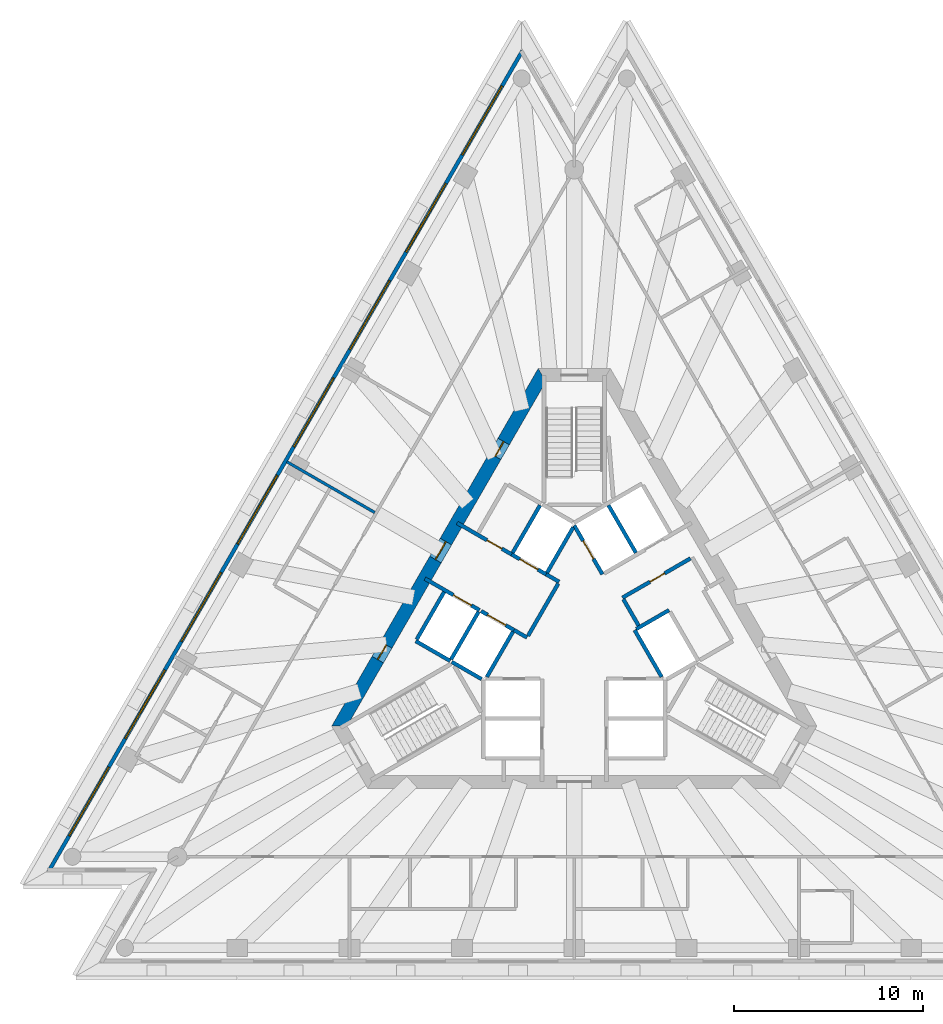
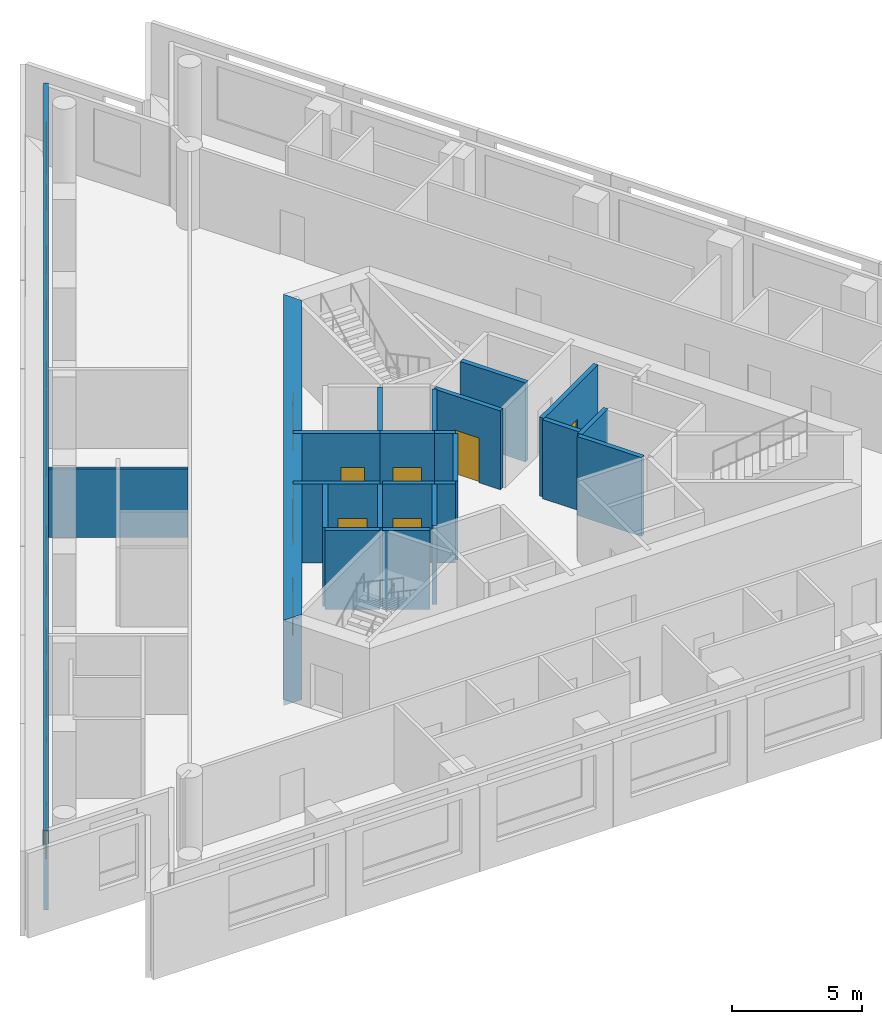
# One storey, part 4 of 9: 23 walls, 9 doors, 8 windows, 17 openings.
"""IFC4 building model written with IfcOpenShell, lengths in metres."""

from ifc_helpers import new_model, si_unit, direction, frame, frame_2d, origin, place, context, subcontext, project, spatial, polyline, rectangle, outline, extrude, material, layer, layer_set, layer_usage, type_object, element, fill, save


model = new_model("IFC4")

# Units and contexts
model_context = context("Model", 3, precision=1e-05, world=origin(), true_north=direction((0.0, 1.0)))
body_context = subcontext(model_context, "Body", "Model", "MODEL_VIEW")
ifc_project = project(units=[si_unit("LENGTHUNIT", "METRE"), si_unit("AREAUNIT", "SQUARE_METRE"), si_unit("VOLUMEUNIT", "CUBIC_METRE"), si_unit("PLANEANGLEUNIT", "RADIAN"), si_unit("MASSUNIT", "GRAM", prefix="KILO")], contexts=[model_context])

# Site, building, storey
site_placement = place(None, origin())
site = spatial("IfcSite", under=ifc_project, at=site_placement, CompositionType="ELEMENT")
building_placement = place(site_placement, origin())
building = spatial("IfcBuilding", under=site, at=building_placement, Name="Triada Interchange Tower", CompositionType="ELEMENT")
storey_placement = place(building_placement, frame((0.0, 0.0, 231.300048828125)))
storey = spatial("IfcBuildingStorey", under=building, at=storey_placement, Name="L54", CompositionType="ELEMENT", Elevation=231.300048828125)

# Walls
ifc_material_1 = material(Name="Concrete C30/37", Category="concrete")
ifc_layer_1 = layer(ifc_material_1, 0.199951171875)
ifc_layer_set_1 = layer_set([ifc_layer_1], Name="CORE WALL 200 EI 120")
wall_type_1 = type_object("IfcWallType", Name="CORE WALL 200 EI 120", PredefinedType="SOLIDWALL", material=ifc_layer_set_1)
wall_1_placement = place(storey_placement, frame((-8.3759765625, -0.70703125, 0.0), z_axis=(0.0, 0.0, 1.0), x_axis=(0.866067520717, -0.499927044236, 0.0)))
element("IfcWall", 1, at=wall_1_placement, inside=storey, type_object=wall_type_1, Name="Wall L53 42", PredefinedType="SOLIDWALL", context=body_context, shape_type="SweptSolid", body=[
    extrude(rectangle(XDim=2.100341796875, YDim=0.199951171875, at=frame_2d((1.05029296875, 0.0))), origin(), (0.0, 0.0, 1.0), 3.699951171875),
])
wall_2_placement = place(storey_placement, frame((-8.325927734375, -0.6201171875, 0.0), z_axis=(0.0, 0.0, 1.0), x_axis=(0.500023687443, 0.866011727401, 0.0)))
element("IfcWall", 2, at=wall_2_placement, inside=storey, type_object=wall_type_1, Name="Wall L53 43", PredefinedType="SOLIDWALL", context=body_context, shape_type="SweptSolid", body=[
    extrude(rectangle(XDim=2.899658203125, YDim=0.199951171875, at=frame_2d((1.44970703125, 0.0))), origin(), (0.0, 0.0, 1.0), 3.699951171875),
])

# Wall, opening, door
wall_3_placement = place(storey_placement, frame((0.0, 5.39990234375, 0.0), z_axis=(0.0, 0.0, 1.0), x_axis=(0.500103862429, -0.865965430478, 0.0)))
wall_3 = element("IfcWall", 3, at=wall_3_placement, inside=storey, type_object=wall_type_1, Name="Wall L53 53", PredefinedType="SOLIDWALL", context=body_context, shape_type="SweptSolid", body=[
    extrude(rectangle(XDim=2.973388671875, YDim=0.199951171875, at=frame_2d((1.48681640625, 0.0))), origin(), (0.0, 0.0, 1.0), 3.699951171875),
])
opening_1_placement = place(wall_3_placement, frame((0.93701171875, 0.0, 0.0)))
opening_1 = element("IfcOpeningElement", 4, at=opening_1_placement, cuts=wall_3, Name="Opening LD-HR5", PredefinedType="OPENING", context=body_context, shape_type="SweptSolid", body=[
    extrude(rectangle(XDim=1.10009765625, YDim=2.10009765625, at=frame_2d((0.550048828125, 1.050048828125))), frame((0.0, 0.10986328125, 0.0), z_axis=(0.0, -1.0, 0.0), x_axis=(1.0, 0.0, 0.0)), (0.0, 0.0, 1.0), 0.219970703125),
])
ifc_material_2 = material(Name="Steel S235 door leaf", Category="steel")
door_type_1 = type_object("IfcDoorType", Name="LIFT LANDING DOOR 1100 EI 120", OperationType="SLIDING_TO_LEFT", PredefinedType="DOOR", material=ifc_material_2)
door_1_placement = place(opening_1_placement, origin())
door_1 = element("IfcDoor", 5, at=door_1_placement, inside=storey, type_object=door_type_1, Name="HR5 landing door L54", OperationType="SLIDING_TO_LEFT", OverallHeight=2.10009765625, OverallWidth=1.10009765625, PredefinedType="DOOR", context=body_context, shape_type="SweptSolid", body=[
    extrude(rectangle(XDim=1.10009765625, YDim=2.10009765625, at=frame_2d((0.550048828125, 1.050048828125))), frame((0.0, 0.02490234375, 0.0), z_axis=(0.0, -1.0, 0.0), x_axis=(1.0, 0.0, 0.0)), (0.0, 0.0, 1.0), 0.050048828125),
])
fill(opening_1, door_1)

# Walls
wall_4_placement = place(storey_placement, frame((3.18994140625, -0.125, 0.0), z_axis=(0.0, 0.0, 1.0), x_axis=(0.499988658015, -0.866031951983, 0.0)))
element("IfcWall", 6, at=wall_4_placement, inside=storey, type_object=wall_type_1, Name="Wall L53 54", PredefinedType="SOLIDWALL", context=body_context, shape_type="SweptSolid", body=[
    extrude(rectangle(XDim=2.85791015625, YDim=0.199951171875, at=frame_2d((1.428955078125, 0.0))), origin(), (0.0, 0.0, 1.0), 3.699951171875),
])
wall_5_placement = place(storey_placement, frame((3.278076171875, -0.071044921875, 0.0), z_axis=(0.0, 0.0, 1.0), x_axis=(0.865855657918, 0.500293893279, 0.0)))
element("IfcWall", 7, at=wall_5_placement, inside=storey, type_object=wall_type_1, Name="Wall L53 58", PredefinedType="SOLIDWALL", context=body_context, shape_type="SweptSolid", body=[
    extrude(rectangle(XDim=1.996826171875, YDim=0.199951171875, at=frame_2d((0.99853515625, 0.0))), origin(), (0.0, 0.0, 1.0), 3.699951171875),
])
wall_6_placement = place(storey_placement, frame((1.806884765625, 6.469970703125, 0.0), z_axis=(0.0, 0.0, 1.0), x_axis=(0.50012328804, -0.865954211699, 0.0)))
element("IfcWall", 8, at=wall_6_placement, inside=storey, type_object=wall_type_1, Name="Wall L53 61", PredefinedType="SOLIDWALL", context=body_context, shape_type="SweptSolid", body=[
    extrude(rectangle(XDim=2.899658203125, YDim=0.199951171875, at=frame_2d((1.44970703125, 0.0))), origin(), (0.0, 0.0, 1.0), 3.699951171875),
])

# Wall, opening, door
wall_7_placement = place(storey_placement, frame((2.548095703125, 1.5869140625, 0.0), z_axis=(0.0, 0.0, 1.0), x_axis=(0.866004344652, 0.500036473714, 0.0)))
wall_7 = element("IfcWall", 9, at=wall_7_placement, inside=storey, type_object=wall_type_1, Name="Wall L53 65", PredefinedType="SOLIDWALL", context=body_context, shape_type="SweptSolid", body=[
    extrude(rectangle(XDim=4.150146484375, YDim=0.199951171875, at=frame_2d((2.0751953125, 0.0))), origin(), (0.0, 0.0, 1.0), 3.699951171875),
])
opening_2_placement = place(wall_7_placement, frame((1.675048828125, 0.0, 0.0)))
opening_2 = element("IfcOpeningElement", 10, at=opening_2_placement, cuts=wall_7, Name="Opening D53-48", PredefinedType="OPENING", context=body_context, shape_type="SweptSolid", body=[
    extrude(rectangle(XDim=0.89990234375, YDim=2.10009765625, at=frame_2d((0.449951171875, 1.050048828125))), frame((0.0, 0.10986328125, 0.0), z_axis=(0.0, -1.0, 0.0), x_axis=(1.0, 0.0, 0.0)), (0.0, 0.0, 1.0), 0.219970703125),
])
door_type_2 = type_object("IfcDoorType", Name="SERVICE DOOR 900 EI2 45-C5S200", OperationType="NOTDEFINED", PredefinedType="DOOR", material=ifc_material_2)
door_2_placement = place(opening_2_placement, origin())
door_2 = element("IfcDoor", 11, at=door_2_placement, inside=storey, type_object=door_type_2, Name="Door D53-48 L54", OperationType="SINGLE_SWING_RIGHT", OverallHeight=2.10009765625, OverallWidth=0.89990234375, PredefinedType="DOOR", context=body_context, shape_type="SweptSolid", body=[
    extrude(rectangle(XDim=0.89990234375, YDim=2.10009765625, at=frame_2d((0.449951171875, 1.050048828125))), frame((0.0, 0.02490234375, 0.0), z_axis=(0.0, -1.0, 0.0), x_axis=(1.0, 0.0, 0.0)), (0.0, 0.0, 1.0), 0.050048828125),
])
fill(opening_2, door_2)

# Wall
wall_8_placement = place(storey_placement, frame((2.597900390625, 1.5, 0.0), z_axis=(0.0, 0.0, 1.0), x_axis=(0.499929347863, -0.866066190972, 0.0)))
element("IfcWall", 12, at=wall_8_placement, inside=storey, type_object=wall_type_1, Name="Wall L53 66", PredefinedType="SOLIDWALL", context=body_context, shape_type="SweptSolid", body=[
    extrude(rectangle(XDim=1.600341796875, YDim=0.199951171875, at=frame_2d((0.80029296875, 0.0))), origin(), (0.0, 0.0, 1.0), 3.699951171875),
])

# Wall, opening, door
ifc_layer_2 = layer(ifc_material_1, 0.199951171875)
ifc_layer_set_2 = layer_set([ifc_layer_2], Name="CORE WALL 200 EI 180")
wall_type_2 = type_object("IfcWallType", Name="CORE WALL 200 EI 180", PredefinedType="SOLIDWALL", material=ifc_layer_set_2)
wall_9_placement = place(storey_placement, frame((-7.89111328125, 2.593017578125, 0.0), z_axis=(0.0, 0.0, 1.0), x_axis=(0.866070917804, -0.499921159118, 0.0)))
wall_9 = element("IfcWall", 13, at=wall_9_placement, inside=storey, type_object=wall_type_2, Name="Wall L53 67", PredefinedType="SOLIDWALL", context=body_context, shape_type="SweptSolid", body=[
    extrude(rectangle(XDim=3.33251953125, YDim=0.199951171875, at=frame_2d((1.666259765625, 0.0))), origin(), (0.0, 0.0, 1.0), 3.699951171875),
])
opening_3_placement = place(wall_9_placement, frame((1.72998046875, 0.0, 0.0)))
opening_3 = element("IfcOpeningElement", 14, at=opening_3_placement, cuts=wall_9, Name="Opening LD-SV1", PredefinedType="OPENING", context=body_context, shape_type="SweptSolid", body=[
    extrude(rectangle(XDim=1.10009765625, YDim=2.10009765625, at=frame_2d((0.550048828125, 1.050048828125))), frame((0.0, 0.10986328125, 0.0), z_axis=(0.0, -1.0, 0.0), x_axis=(1.0, 0.0, 0.0)), (0.0, 0.0, 1.0), 0.219970703125),
])
door_3_placement = place(opening_3_placement, origin())
door_3 = element("IfcDoor", 15, at=door_3_placement, inside=storey, type_object=door_type_1, Name="SV1 landing door L54", OperationType="SLIDING_TO_LEFT", OverallHeight=2.10009765625, OverallWidth=1.10009765625, PredefinedType="DOOR", context=body_context, shape_type="SweptSolid", body=[
    extrude(rectangle(XDim=1.10009765625, YDim=2.10009765625, at=frame_2d((0.550048828125, 1.050048828125))), frame((0.0, 0.02490234375, 0.0), z_axis=(0.0, -1.0, 0.0), x_axis=(1.0, 0.0, 0.0)), (0.0, 0.0, 1.0), 0.050048828125),
])
fill(opening_3, door_3)

# Wall
wall_10_placement = place(storey_placement, frame((-3.18798828125, -0.1220703125, 0.0), z_axis=(0.0, 0.0, 1.0), x_axis=(0.865705793592, -0.50055317294, 0.0)))
element("IfcWall", 16, at=wall_10_placement, inside=storey, type_object=wall_type_2, Name="Wall L53 68", PredefinedType="SOLIDWALL", context=body_context, shape_type="SweptSolid", body=[
    extrude(rectangle(XDim=0.796875, YDim=0.199951171875, at=frame_2d((0.3984375, 0.0))), origin(), (0.0, 0.0, 1.0), 3.699951171875),
])

# Wall, opening, door
wall_11_placement = place(storey_placement, frame((-6.19091796875, 5.537109375, 0.0), z_axis=(0.0, 0.0, 1.0), x_axis=(0.866052607023, -0.499952879648, 0.0)))
wall_11 = element("IfcWall", 17, at=wall_11_placement, inside=storey, type_object=wall_type_2, Name="Wall L53 69", PredefinedType="SOLIDWALL", context=body_context, shape_type="SweptSolid", body=[
    extrude(rectangle(XDim=3.332275390625, YDim=0.199951171875, at=frame_2d((1.666015625, 0.0))), origin(), (0.0, 0.0, 1.0), 3.699951171875),
])
opening_4_placement = place(wall_11_placement, frame((1.830078125, 0.0, 0.0)))
opening_4 = element("IfcOpeningElement", 18, at=opening_4_placement, cuts=wall_11, Name="Opening D53-10", PredefinedType="OPENING", context=body_context, shape_type="SweptSolid", body=[
    extrude(rectangle(XDim=0.89990234375, YDim=2.10009765625, at=frame_2d((0.449951171875, 1.050048828125))), frame((0.0, 0.10986328125, 0.0), z_axis=(0.0, -1.0, 0.0), x_axis=(1.0, 0.0, 0.0)), (0.0, 0.0, 1.0), 0.219970703125),
])
door_type_3 = type_object("IfcDoorType", Name="SERVICE DOOR 900 EI2 90-C5S200", OperationType="NOTDEFINED", PredefinedType="DOOR", material=ifc_material_2)
door_4_placement = place(opening_4_placement, origin())
door_4 = element("IfcDoor", 19, at=door_4_placement, inside=storey, type_object=door_type_3, Name="Door D53-10 L54", OperationType="SINGLE_SWING_LEFT", OverallHeight=2.10009765625, OverallWidth=0.89990234375, PredefinedType="DOOR", context=body_context, shape_type="SweptSolid", body=[
    extrude(rectangle(XDim=0.89990234375, YDim=2.10009765625, at=frame_2d((0.449951171875, 1.050048828125))), frame((0.0, 0.02490234375, 0.0), z_axis=(0.0, -1.0, 0.0), x_axis=(1.0, 0.0, 0.0)), (0.0, 0.0, 1.0), 0.050048828125),
])
fill(opening_4, door_4)

# Walls
wall_12_placement = place(storey_placement, frame((-1.488037109375, 2.822021484375, 0.0), z_axis=(0.0, 0.0, 1.0), x_axis=(0.866236612152, -0.499633997809, 0.0)))
element("IfcWall", 20, at=wall_12_placement, inside=storey, type_object=wall_type_2, Name="Wall L53 70", PredefinedType="SOLIDWALL", context=body_context, shape_type="SweptSolid", body=[
    extrude(rectangle(XDim=0.79638671875, YDim=0.199951171875, at=frame_2d((0.398193359375, 0.0))), origin(), (0.0, 0.0, 1.0), 3.699951171875),
])
wall_13_placement = place(storey_placement, frame((-2.444091796875, -0.43310546875, 0.0), z_axis=(0.0, 0.0, 1.0), x_axis=(0.500035624827, 0.866004834804, 0.0)))
element("IfcWall", 21, at=wall_13_placement, inside=storey, type_object=wall_type_2, Name="Wall L53 73", PredefinedType="SOLIDWALL", context=body_context, shape_type="SweptSolid", body=[
    extrude(rectangle(XDim=3.194091796875, YDim=0.199951171875, at=frame_2d((1.59716796875, 0.0))), origin(), (0.0, 0.0, 1.0), 3.699951171875),
])
wall_14_placement = place(storey_placement, frame((-6.507080078125, -1.669921875, 0.0), z_axis=(0.0, 0.0, 1.0), x_axis=(0.50012328804, 0.865954211699, 0.0)))
element("IfcWall", 22, at=wall_14_placement, inside=storey, type_object=wall_type_2, Name="Shaft wall FF1 L53 74", PredefinedType="SOLIDWALL", context=body_context, shape_type="SweptSolid", body=[
    extrude(rectangle(XDim=2.899658203125, YDim=0.199951171875, at=frame_2d((1.44970703125, 0.0))), origin(), (0.0, 0.0, 1.0), 3.699951171875),
])
wall_15_placement = place(storey_placement, frame((-6.469970703125, -1.806884765625, 0.0), z_axis=(0.0, 0.0, 1.0), x_axis=(0.865883195159, -0.500246231712, 0.0)))
element("IfcWall", 23, at=wall_15_placement, inside=storey, type_object=wall_type_2, Name="Shaft wall FF1 L53 75", PredefinedType="SOLIDWALL", context=body_context, shape_type="SweptSolid", body=[
    extrude(rectangle(XDim=1.8154296875, YDim=0.199951171875, at=frame_2d((0.90771484375, 0.0))), origin(), (0.0, 0.0, 1.0), 3.699951171875),
])

# Wall, opening, door
wall_16_placement = place(storey_placement, frame((-4.922119140625, 0.87890625, 0.0), z_axis=(0.0, 0.0, 1.0), x_axis=(0.866073918653, -0.499915960366, 0.0)))
wall_16 = element("IfcWall", 24, at=wall_16_placement, inside=storey, type_object=wall_type_2, Name="Shaft wall FF1 L53 76", PredefinedType="SOLIDWALL", context=body_context, shape_type="SweptSolid", body=[
    extrude(rectangle(XDim=2.002197265625, YDim=0.199951171875, at=frame_2d((1.0009765625, 0.0))), origin(), (0.0, 0.0, 1.0), 3.699951171875),
])
opening_5_placement = place(wall_16_placement, frame((0.402099609375, 0.0, 0.0)))
opening_5 = element("IfcOpeningElement", 25, at=opening_5_placement, cuts=wall_16, Name="Opening LD-FF1", PredefinedType="OPENING", context=body_context, shape_type="SweptSolid", body=[
    extrude(rectangle(XDim=1.10009765625, YDim=2.10009765625, at=frame_2d((0.550048828125, 1.050048828125))), frame((0.0, 0.10986328125, 0.0), z_axis=(0.0, -1.0, 0.0), x_axis=(1.0, 0.0, 0.0)), (0.0, 0.0, 1.0), 0.219970703125),
])
door_5_placement = place(opening_5_placement, origin())
door_5 = element("IfcDoor", 26, at=door_5_placement, inside=storey, type_object=door_type_1, Name="FF1 landing door L54", OperationType="SLIDING_TO_LEFT", OverallHeight=2.10009765625, OverallWidth=1.10009765625, PredefinedType="DOOR", context=body_context, shape_type="SweptSolid", body=[
    extrude(rectangle(XDim=1.10009765625, YDim=2.10009765625, at=frame_2d((0.550048828125, 1.050048828125))), frame((0.0, 0.02490234375, 0.0), z_axis=(0.0, -1.0, 0.0), x_axis=(1.0, 0.0, 0.0)), (0.0, 0.0, 1.0), 0.050048828125),
])
fill(opening_5, door_5)

# Wall
wall_17_placement = place(storey_placement, frame((-4.618896484375, -2.60009765625, 0.0), z_axis=(0.0, 0.0, 1.0), x_axis=(0.50009492287, 0.865970593103, 0.0)))
element("IfcWall", 27, at=wall_17_placement, inside=storey, type_object=wall_type_2, Name="Shaft wall FF1 L53 77", PredefinedType="SOLIDWALL", context=body_context, shape_type="SweptSolid", body=[
    extrude(rectangle(XDim=2.76123046875, YDim=0.199951171875, at=frame_2d((1.380615234375, 0.0))), origin(), (0.0, 0.0, 1.0), 3.699951171875),
])

# Wall, opening, door
wall_18_placement = place(storey_placement, frame((-3.30908203125, 3.873046875, 0.0), z_axis=(0.0, 0.0, 1.0), x_axis=(0.866098583652, -0.499873227325, 0.0)))
wall_18 = element("IfcWall", 28, at=wall_18_placement, inside=storey, type_object=wall_type_2, Name="Shaft wall FF2 L53 78", PredefinedType="SOLIDWALL", context=body_context, shape_type="SweptSolid", body=[
    extrude(rectangle(XDim=2.1025390625, YDim=0.199951171875, at=frame_2d((1.05126953125, 0.0))), origin(), (0.0, 0.0, 1.0), 3.699951171875),
])
opening_6_placement = place(wall_18_placement, frame((0.501953125, 0.0, 0.0)))
opening_6 = element("IfcOpeningElement", 29, at=opening_6_placement, cuts=wall_18, Name="Opening LD-FF2", PredefinedType="OPENING", context=body_context, shape_type="SweptSolid", body=[
    extrude(rectangle(XDim=1.10009765625, YDim=2.10009765625, at=frame_2d((0.550048828125, 1.050048828125))), frame((0.0, 0.10986328125, 0.0), z_axis=(0.0, -1.0, 0.0), x_axis=(1.0, 0.0, 0.0)), (0.0, 0.0, 1.0), 0.219970703125),
])
door_6_placement = place(opening_6_placement, origin())
door_6 = element("IfcDoor", 30, at=door_6_placement, inside=storey, type_object=door_type_1, Name="FF2 landing door L54", OperationType="SLIDING_TO_LEFT", OverallHeight=2.10009765625, OverallWidth=1.10009765625, PredefinedType="DOOR", context=body_context, shape_type="SweptSolid", body=[
    extrude(rectangle(XDim=1.10009765625, YDim=2.10009765625, at=frame_2d((0.550048828125, 1.050048828125))), frame((0.0, 0.02490234375, 0.0), z_axis=(0.0, -1.0, 0.0), x_axis=(1.0, 0.0, 0.0)), (0.0, 0.0, 1.0), 0.050048828125),
])
fill(opening_6, door_6)

# Walls
wall_19_placement = place(storey_placement, frame((-3.257080078125, 3.958984375, 0.0), z_axis=(0.0, 0.0, 1.0), x_axis=(0.50012328804, 0.865954211699, 0.0)))
element("IfcWall", 31, at=wall_19_placement, inside=storey, type_object=wall_type_2, Name="Shaft wall FF2 L53 79", PredefinedType="SOLIDWALL", context=body_context, shape_type="SweptSolid", body=[
    extrude(rectangle(XDim=2.899658203125, YDim=0.199951171875, at=frame_2d((1.44970703125, 0.0))), origin(), (0.0, 0.0, 1.0), 3.699951171875),
])
wall_20_placement = place(storey_placement, frame((-1.43798828125, 2.908935546875, 0.0), z_axis=(0.0, 0.0, 1.0), x_axis=(0.499829630636, 0.866123744241, 0.0)))
element("IfcWall", 32, at=wall_20_placement, inside=storey, type_object=wall_type_2, Name="Shaft wall FF2 L53 81", PredefinedType="SOLIDWALL", context=body_context, shape_type="SweptSolid", body=[
    extrude(rectangle(XDim=2.7607421875, YDim=0.199951171875, at=frame_2d((1.38037109375, 0.0))), origin(), (0.0, 0.0, 1.0), 3.699951171875),
])

# Wall, openings, doors
ifc_material_3 = material(Name="Concrete C50/60", Category="concrete")
ifc_layer_3 = layer(ifc_material_3, 0.699951171875)
ifc_layer_set_3 = layer_set([ifc_layer_3], Name="Core wall C 700")
wall_type_3 = type_object("IfcWallType", Name="Core wall C 700", PredefinedType="SHEAR", material=ifc_layer_set_3)
wall_21_placement = place(storey_placement, frame((-1.702880859375, 13.35009765625, -0.300048828125), z_axis=(0.0, 0.0, 1.0), x_axis=(-0.500011533395, -0.866018744874, 0.0)))
wall_21 = element("IfcWall", 33, at=wall_21_placement, inside=storey, type_object=wall_type_3, Name="Core wall WC02 L54", PredefinedType="SHEAR", context=body_context, shape_type="SweptSolid", body=[
    extrude(outline(polyline([(-0.201904296875, -0.35009765625), (1.781982421875, -0.35009765625), (3.76611328125, -0.35009765625), (5.75, -0.35009765625), (7.734130859375, -0.35009765625), (9.718017578125, -0.35009765625), (11.7021484375, -0.35009765625), (13.68603515625, -0.35009765625), (15.670166015625, -0.35009765625), (17.654052734375, -0.35009765625), (19.63818359375, -0.35009765625), (21.6220703125, -0.35009765625), (21.218017578125, 0.35009765625), (19.307373046875, 0.35009765625), (17.39697265625, 0.35009765625), (15.486328125, 0.35009765625), (13.57568359375, 0.35009765625), (11.665283203125, 0.35009765625), (9.754638671875, 0.35009765625), (7.84423828125, 0.35009765625), (5.93359375, 0.35009765625), (4.02294921875, 0.35009765625), (2.112548828125, 0.35009765625), (0.201904296875, 0.35009765625), (-0.201904296875, -0.35009765625)])), origin(), (0.0, 0.0, 1.0), 4.0),
])
opening_7_placement = place(wall_21_placement, frame((10.159912109375, 0.0, 0.300048828125)))
opening_7 = element("IfcOpeningElement", 34, at=opening_7_placement, cuts=wall_21, Name="Opening D53-43", PredefinedType="OPENING", context=body_context, shape_type="SweptSolid", body=[
    extrude(rectangle(XDim=1.10009765625, YDim=2.10009765625, at=frame_2d((0.550048828125, 1.050048828125))), frame((0.0, 0.360107421875, 0.0), z_axis=(0.0, -1.0, 0.0), x_axis=(1.0, 0.0, 0.0)), (0.0, 0.0, 1.0), 0.72021484375),
])
opening_8_placement = place(wall_21_placement, frame((16.465087890625, 0.0, 0.300048828125)))
opening_8 = element("IfcOpeningElement", 35, at=opening_8_placement, cuts=wall_21, Name="Opening D53-44", PredefinedType="OPENING", context=body_context, shape_type="SweptSolid", body=[
    extrude(rectangle(XDim=0.89990234375, YDim=2.10009765625, at=frame_2d((0.449951171875, 1.050048828125))), frame((0.0, 0.360107421875, 0.0), z_axis=(0.0, -1.0, 0.0), x_axis=(1.0, 0.0, 0.0)), (0.0, 0.0, 1.0), 0.72021484375),
])
opening_9_placement = place(wall_21_placement, frame((4.054931640625, 0.0, 0.300048828125)))
opening_9 = element("IfcOpeningElement", 36, at=opening_9_placement, cuts=wall_21, Name="Opening D53-46", PredefinedType="OPENING", context=body_context, shape_type="SweptSolid", body=[
    extrude(rectangle(XDim=0.89990234375, YDim=2.10009765625, at=frame_2d((0.449951171875, 1.050048828125))), frame((0.0, 0.360107421875, 0.0), z_axis=(0.0, -1.0, 0.0), x_axis=(1.0, 0.0, 0.0)), (0.0, 0.0, 1.0), 0.72021484375),
])
door_type_4 = type_object("IfcDoorType", Name="FIRE LOBBY DOOR 1100 EI2 90-C5S200", OperationType="NOTDEFINED", PredefinedType="DOOR", material=ifc_material_2)
door_7_placement = place(opening_7_placement, origin())
door_7 = element("IfcDoor", 37, at=door_7_placement, inside=storey, type_object=door_type_4, Name="Door D53-43 L54", OperationType="SINGLE_SWING_RIGHT", OverallHeight=2.10009765625, OverallWidth=1.10009765625, PredefinedType="DOOR", context=body_context, shape_type="SweptSolid", body=[
    extrude(rectangle(XDim=1.10009765625, YDim=2.10009765625, at=frame_2d((0.550048828125, 1.050048828125))), frame((0.0, 0.02490234375, 0.0), z_axis=(0.0, -1.0, 0.0), x_axis=(1.0, 0.0, 0.0)), (0.0, 0.0, 1.0), 0.050048828125),
])
fill(opening_7, door_7)
door_type_5 = type_object("IfcDoorType", Name="RISER ACCESS DOOR 900 EI2 45-C5S200", OperationType="NOTDEFINED", PredefinedType="DOOR", material=ifc_material_2)
door_8_placement = place(opening_8_placement, origin())
door_8 = element("IfcDoor", 38, at=door_8_placement, inside=storey, type_object=door_type_5, Name="Door D53-44 L54", OperationType="SINGLE_SWING_RIGHT", OverallHeight=2.10009765625, OverallWidth=0.89990234375, PredefinedType="DOOR", context=body_context, shape_type="SweptSolid", body=[
    extrude(rectangle(XDim=0.89990234375, YDim=2.10009765625, at=frame_2d((0.449951171875, 1.050048828125))), frame((0.0, 0.02490234375, 0.0), z_axis=(0.0, -1.0, 0.0), x_axis=(1.0, 0.0, 0.0)), (0.0, 0.0, 1.0), 0.050048828125),
])
fill(opening_8, door_8)
door_9_placement = place(opening_9_placement, origin())
door_9 = element("IfcDoor", 39, at=door_9_placement, inside=storey, type_object=door_type_2, Name="Door D53-46 L54", OperationType="SINGLE_SWING_RIGHT", OverallHeight=2.10009765625, OverallWidth=0.89990234375, PredefinedType="DOOR", context=body_context, shape_type="SweptSolid", body=[
    extrude(rectangle(XDim=0.89990234375, YDim=2.10009765625, at=frame_2d((0.449951171875, 1.050048828125))), frame((0.0, 0.02490234375, 0.0), z_axis=(0.0, -1.0, 0.0), x_axis=(1.0, 0.0, 0.0)), (0.0, 0.0, 1.0), 0.050048828125),
])
fill(opening_9, door_9)

# Wall, openings, windows
ifc_material_4 = material(Name="Cement board")
ifc_layer_4 = layer(ifc_material_4, 0.02001953125, Name="Cement board cladding")
ifc_material_5 = material(Name="Sheathing board")
ifc_layer_5 = layer(ifc_material_5, 0.014892578125, Name="Sheathing board")
ifc_material_6 = material(Name="Mineral wool")
ifc_layer_6 = layer(ifc_material_6, 0.14990234375, Name="Mineral wool between steel studs")
ifc_material_7 = material(Name="Gypsum board")
ifc_layer_7 = layer(ifc_material_7, 0.014892578125, Name="Plasterboard lining")
ifc_layer_set_4 = layer_set([ifc_layer_4, ifc_layer_5, ifc_layer_6, ifc_layer_7], Name="External wall 200")
ifc_layer_usage = layer_usage(ifc_layer_set_4, "AXIS2", "POSITIVE", -0.10009765625)
wall_type_4 = type_object("IfcWallType", Name="External wall 200", PredefinedType="ELEMENTEDWALL", material=ifc_layer_set_4)
wall_22_placement = place(storey_placement, frame((-2.73193359375, 30.5009765625, 0.0), z_axis=(0.0, 0.0, 1.0), x_axis=(-0.500023345841, -0.866011924637, 0.0)))
wall_22 = element("IfcWall", 40, at=wall_22_placement, inside=storey, type_object=wall_type_4, material=ifc_layer_usage, Name="External wall L54 NW", PredefinedType="ELEMENTEDWALL", context=body_context, shape_type="SweptSolid", body=[
    extrude(rectangle(XDim=50.07763671875, YDim=0.199951171875, at=frame_2d((25.038818359375, 0.0))), origin(), (0.0, 0.0, 1.0), 3.699951171875),
])
opening_10_placement = place(wall_22_placement, frame((2.1708984375, 0.0, 0.89990234375)))
opening_10 = element("IfcOpeningElement", 41, at=opening_10_placement, cuts=wall_22, Name="Opening WC01", PredefinedType="OPENING", context=body_context, shape_type="SweptSolid", body=[
    extrude(rectangle(XDim=4.199951171875, YDim=2.5, at=frame_2d((2.10009765625, 1.25))), frame((0.0, 0.10986328125, 0.0), z_axis=(0.0, -1.0, 0.0), x_axis=(1.0, 0.0, 0.0)), (0.0, 0.0, 1.0), 0.219970703125),
])
opening_11_placement = place(wall_22_placement, frame((8.10693359375, 0.0, 0.89990234375)))
opening_11 = element("IfcOpeningElement", 42, at=opening_11_placement, cuts=wall_22, Name="Opening WC02", PredefinedType="OPENING", context=body_context, shape_type="SweptSolid", body=[
    extrude(rectangle(XDim=4.199951171875, YDim=2.5, at=frame_2d((2.10009765625, 1.25))), frame((0.0, 0.10986328125, 0.0), z_axis=(0.0, -1.0, 0.0), x_axis=(1.0, 0.0, 0.0)), (0.0, 0.0, 1.0), 0.219970703125),
])
opening_12_placement = place(wall_22_placement, frame((14.0439453125, 0.0, 0.89990234375)))
opening_12 = element("IfcOpeningElement", 43, at=opening_12_placement, cuts=wall_22, Name="Opening WC03", PredefinedType="OPENING", context=body_context, shape_type="SweptSolid", body=[
    extrude(rectangle(XDim=4.199951171875, YDim=2.5, at=frame_2d((2.10009765625, 1.25))), frame((0.0, 0.10986328125, 0.0), z_axis=(0.0, -1.0, 0.0), x_axis=(1.0, 0.0, 0.0)), (0.0, 0.0, 1.0), 0.219970703125),
])
opening_13_placement = place(wall_22_placement, frame((19.97998046875, 0.0, 0.89990234375)))
opening_13 = element("IfcOpeningElement", 44, at=opening_13_placement, cuts=wall_22, Name="Opening WC04", PredefinedType="OPENING", context=body_context, shape_type="SweptSolid", body=[
    extrude(rectangle(XDim=4.199951171875, YDim=2.5, at=frame_2d((2.10009765625, 1.25))), frame((0.0, 0.10986328125, 0.0), z_axis=(0.0, -1.0, 0.0), x_axis=(1.0, 0.0, 0.0)), (0.0, 0.0, 1.0), 0.219970703125),
])
opening_14_placement = place(wall_22_placement, frame((25.9169921875, 0.0, 0.89990234375)))
opening_14 = element("IfcOpeningElement", 45, at=opening_14_placement, cuts=wall_22, Name="Opening WC05", PredefinedType="OPENING", context=body_context, shape_type="SweptSolid", body=[
    extrude(rectangle(XDim=4.199951171875, YDim=2.5, at=frame_2d((2.10009765625, 1.25))), frame((0.0, 0.10986328125, 0.0), z_axis=(0.0, -1.0, 0.0), x_axis=(1.0, 0.0, 0.0)), (0.0, 0.0, 1.0), 0.219970703125),
])
opening_15_placement = place(wall_22_placement, frame((31.85302734375, 0.0, 0.89990234375)))
opening_15 = element("IfcOpeningElement", 46, at=opening_15_placement, cuts=wall_22, Name="Opening WC06", PredefinedType="OPENING", context=body_context, shape_type="SweptSolid", body=[
    extrude(rectangle(XDim=4.199951171875, YDim=2.5, at=frame_2d((2.10009765625, 1.25))), frame((0.0, 0.10986328125, 0.0), z_axis=(0.0, -1.0, 0.0), x_axis=(1.0, 0.0, 0.0)), (0.0, 0.0, 1.0), 0.219970703125),
])
opening_16_placement = place(wall_22_placement, frame((37.7900390625, 0.0, 0.89990234375)))
opening_16 = element("IfcOpeningElement", 47, at=opening_16_placement, cuts=wall_22, Name="Opening WC07", PredefinedType="OPENING", context=body_context, shape_type="SweptSolid", body=[
    extrude(rectangle(XDim=4.199951171875, YDim=2.5, at=frame_2d((2.10009765625, 1.25))), frame((0.0, 0.10986328125, 0.0), z_axis=(0.0, -1.0, 0.0), x_axis=(1.0, 0.0, 0.0)), (0.0, 0.0, 1.0), 0.219970703125),
])
opening_17_placement = place(wall_22_placement, frame((43.72607421875, 0.0, 0.89990234375)))
opening_17 = element("IfcOpeningElement", 48, at=opening_17_placement, cuts=wall_22, Name="Opening WC08", PredefinedType="OPENING", context=body_context, shape_type="SweptSolid", body=[
    extrude(rectangle(XDim=4.199951171875, YDim=2.5, at=frame_2d((2.10009765625, 1.25))), frame((0.0, 0.10986328125, 0.0), z_axis=(0.0, -1.0, 0.0), x_axis=(1.0, 0.0, 0.0)), (0.0, 0.0, 1.0), 0.219970703125),
])
ifc_material_8 = material(Name="Double glazed aluminium window", Category="aluminium")
window_type = type_object("IfcWindowType", Name="Ribbon window C face", PartitioningType="SINGLE_PANEL", PredefinedType="WINDOW", material=ifc_material_8)
window_1_placement = place(opening_10_placement, origin())
window_1 = element("IfcWindow", 49, at=window_1_placement, inside=storey, type_object=window_type, Name="Window L54 NW 1", OverallHeight=2.5, OverallWidth=4.199951171875, PartitioningType="SINGLE_PANEL", PredefinedType="WINDOW", context=body_context, shape_type="SweptSolid", body=[
    extrude(rectangle(XDim=4.199951171875, YDim=2.5, at=frame_2d((2.10009765625, 1.25))), frame((0.0, 0.030029296875, 0.0), z_axis=(0.0, -1.0, 0.0), x_axis=(1.0, 0.0, 0.0)), (0.0, 0.0, 1.0), 0.06005859375),
])
fill(opening_10, window_1)
window_2_placement = place(opening_11_placement, origin())
window_2 = element("IfcWindow", 50, at=window_2_placement, inside=storey, type_object=window_type, Name="Window L54 NW 2", OverallHeight=2.5, OverallWidth=4.199951171875, PartitioningType="SINGLE_PANEL", PredefinedType="WINDOW", context=body_context, shape_type="SweptSolid", body=[
    extrude(rectangle(XDim=4.199951171875, YDim=2.5, at=frame_2d((2.10009765625, 1.25))), frame((0.0, 0.030029296875, 0.0), z_axis=(0.0, -1.0, 0.0), x_axis=(1.0, 0.0, 0.0)), (0.0, 0.0, 1.0), 0.06005859375),
])
fill(opening_11, window_2)
window_3_placement = place(opening_12_placement, origin())
window_3 = element("IfcWindow", 51, at=window_3_placement, inside=storey, type_object=window_type, Name="Window L54 NW 3", OverallHeight=2.5, OverallWidth=4.199951171875, PartitioningType="SINGLE_PANEL", PredefinedType="WINDOW", context=body_context, shape_type="SweptSolid", body=[
    extrude(rectangle(XDim=4.199951171875, YDim=2.5, at=frame_2d((2.10009765625, 1.25))), frame((0.0, 0.030029296875, 0.0), z_axis=(0.0, -1.0, 0.0), x_axis=(1.0, 0.0, 0.0)), (0.0, 0.0, 1.0), 0.06005859375),
])
fill(opening_12, window_3)
window_4_placement = place(opening_13_placement, origin())
window_4 = element("IfcWindow", 52, at=window_4_placement, inside=storey, type_object=window_type, Name="Window L54 NW 4", OverallHeight=2.5, OverallWidth=4.199951171875, PartitioningType="SINGLE_PANEL", PredefinedType="WINDOW", context=body_context, shape_type="SweptSolid", body=[
    extrude(rectangle(XDim=4.199951171875, YDim=2.5, at=frame_2d((2.10009765625, 1.25))), frame((0.0, 0.030029296875, 0.0), z_axis=(0.0, -1.0, 0.0), x_axis=(1.0, 0.0, 0.0)), (0.0, 0.0, 1.0), 0.06005859375),
])
fill(opening_13, window_4)
window_5_placement = place(opening_14_placement, origin())
window_5 = element("IfcWindow", 53, at=window_5_placement, inside=storey, type_object=window_type, Name="Window L54 NW 5", OverallHeight=2.5, OverallWidth=4.199951171875, PartitioningType="SINGLE_PANEL", PredefinedType="WINDOW", context=body_context, shape_type="SweptSolid", body=[
    extrude(rectangle(XDim=4.199951171875, YDim=2.5, at=frame_2d((2.10009765625, 1.25))), frame((0.0, 0.030029296875, 0.0), z_axis=(0.0, -1.0, 0.0), x_axis=(1.0, 0.0, 0.0)), (0.0, 0.0, 1.0), 0.06005859375),
])
fill(opening_14, window_5)
window_6_placement = place(opening_15_placement, origin())
window_6 = element("IfcWindow", 54, at=window_6_placement, inside=storey, type_object=window_type, Name="Window L54 NW 6", OverallHeight=2.5, OverallWidth=4.199951171875, PartitioningType="SINGLE_PANEL", PredefinedType="WINDOW", context=body_context, shape_type="SweptSolid", body=[
    extrude(rectangle(XDim=4.199951171875, YDim=2.5, at=frame_2d((2.10009765625, 1.25))), frame((0.0, 0.030029296875, 0.0), z_axis=(0.0, -1.0, 0.0), x_axis=(1.0, 0.0, 0.0)), (0.0, 0.0, 1.0), 0.06005859375),
])
fill(opening_15, window_6)
window_7_placement = place(opening_16_placement, origin())
window_7 = element("IfcWindow", 55, at=window_7_placement, inside=storey, type_object=window_type, Name="Window L54 NW 7", OverallHeight=2.5, OverallWidth=4.199951171875, PartitioningType="SINGLE_PANEL", PredefinedType="WINDOW", context=body_context, shape_type="SweptSolid", body=[
    extrude(rectangle(XDim=4.199951171875, YDim=2.5, at=frame_2d((2.10009765625, 1.25))), frame((0.0, 0.030029296875, 0.0), z_axis=(0.0, -1.0, 0.0), x_axis=(1.0, 0.0, 0.0)), (0.0, 0.0, 1.0), 0.06005859375),
])
fill(opening_16, window_7)
window_8_placement = place(opening_17_placement, origin())
window_8 = element("IfcWindow", 56, at=window_8_placement, inside=storey, type_object=window_type, Name="Window L54 NW 8", OverallHeight=2.5, OverallWidth=4.199951171875, PartitioningType="SINGLE_PANEL", PredefinedType="WINDOW", context=body_context, shape_type="SweptSolid", body=[
    extrude(rectangle(XDim=4.199951171875, YDim=2.5, at=frame_2d((2.10009765625, 1.25))), frame((0.0, 0.030029296875, 0.0), z_axis=(0.0, -1.0, 0.0), x_axis=(1.0, 0.0, 0.0)), (0.0, 0.0, 1.0), 0.06005859375),
])
fill(opening_17, window_8)

# Wall
ifc_material_9 = material(Name="Gypsum board partition")
ifc_layer_8 = layer(ifc_material_9, 0.14990234375)
ifc_layer_set_5 = layer_set([ifc_layer_8], Name="PARTITION 150 EI 180")
wall_type_5 = type_object("IfcWallType", Name="PARTITION 150 EI 180", PredefinedType="PARTITIONING", material=ifc_layer_set_5)
wall_23_placement = place(storey_placement, frame((-15.18798828125, 8.76806640625, 0.0), z_axis=(0.0, 0.0, 1.0), x_axis=(0.866032438121, -0.499987815973, 0.0)))
element("IfcWall", 57, at=wall_23_placement, inside=storey, type_object=wall_type_5, Name="Wall L53 6", PredefinedType="PARTITIONING", context=body_context, shape_type="SweptSolid", body=[
    extrude(rectangle(XDim=5.362548828125, YDim=0.14990234375, at=frame_2d((2.68115234375, 0.0))), origin(), (0.0, 0.0, 1.0), 3.199951171875),
])

save(model, "model.ifc")
